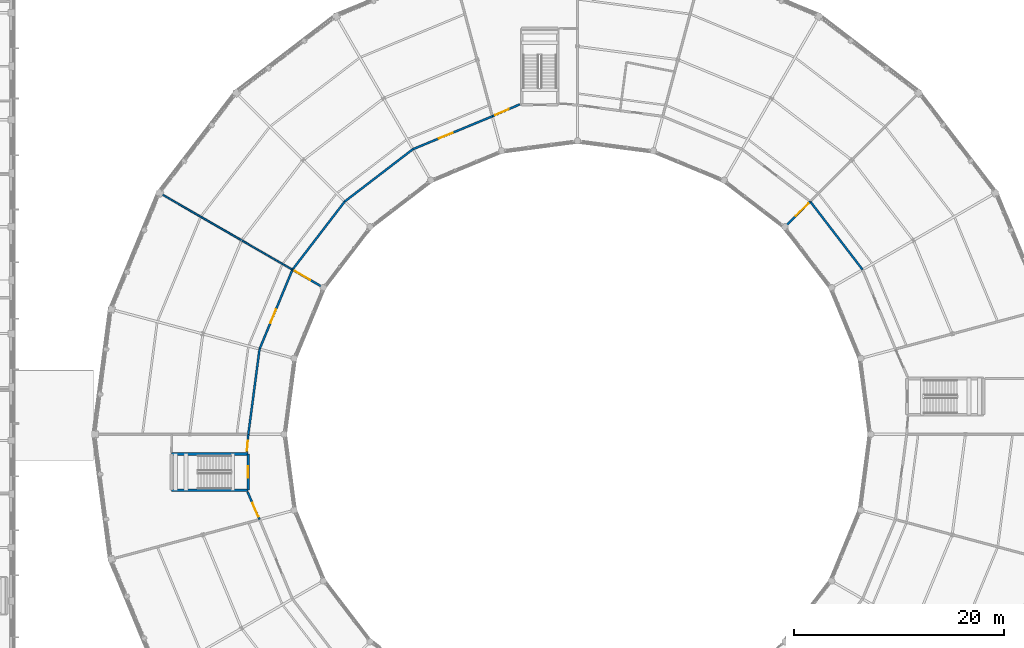
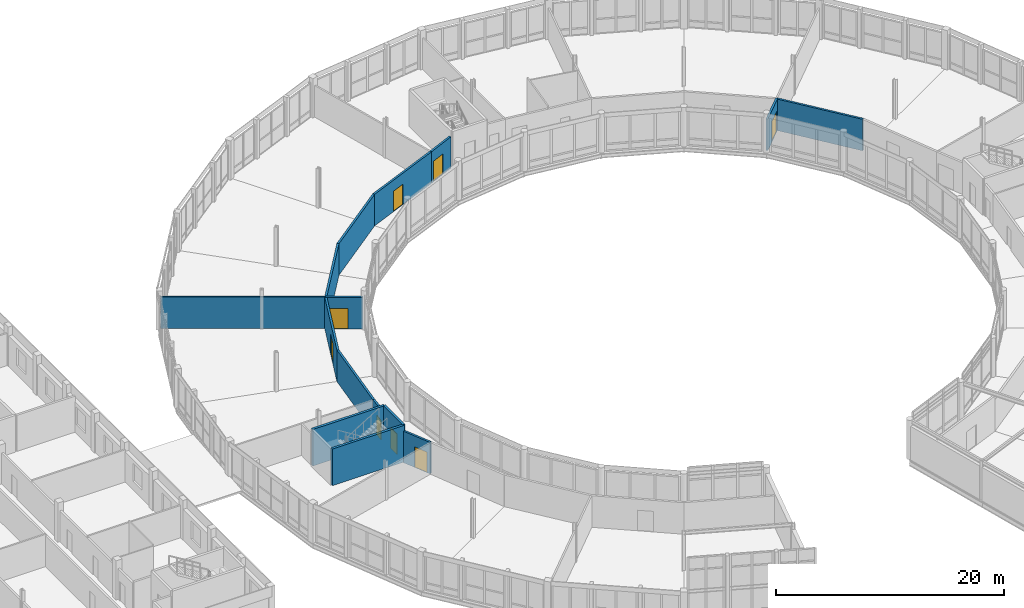
# One storey, part 144 of 170: 15 walls, 8 doors, 8 openings.
"""IFC4 building model written with IfcOpenShell, lengths in metres."""

import ifcopenshell
import ifcopenshell.guid

model = None  # the IFC model being written
_history = None  # IfcOwnerHistory: only IFC2X3 demands one
_inside = {}  # id of a spatial element -> (the spatial element, [elements in it])
_under = {}  # id of a project, library or spatial element -> (it, [spatial elements below it])
_declared = {}  # id of a project -> (the project, [libraries it declares])
_typed = {}  # id of a type object -> (the type object, [elements of that type])
_made_of = {}  # id of a material, layer set ... -> (it, [elements and type objects made of it])


def new_model(schema):
    """Start an empty IFC model of exactly this schema.

    Asked for "IFC4X3", IfcOpenShell would pick the latest addendum, in which some entities
    have other attributes; the version numbers below select the first issue.
    IFC2X3 requires an IfcOwnerHistory on every rooted entity: one is made here for all.
    """
    global model, _history
    if schema == "IFC4X3":
        model = ifcopenshell.file(schema_version=(4, 3, 0, 0))
    else:
        model = ifcopenshell.file(schema=schema)
    _inside.clear()
    _under.clear()
    _declared.clear()
    _typed.clear()
    _made_of.clear()
    _history = None
    if model.schema == "IFC2X3":
        org = make("IfcOrganization", Name="unknown")
        user = make(
            "IfcPersonAndOrganization",
            ThePerson=make("IfcPerson", FamilyName="unknown"),
            TheOrganization=org,
        )
        app = make(
            "IfcApplication",
            ApplicationDeveloper=org,
            Version="unknown",
            ApplicationFullName="unknown",
            ApplicationIdentifier="unknown",
        )
        _history = make(
            "IfcOwnerHistory",
            OwningUser=user,
            OwningApplication=app,
            ChangeAction="ADDED",
            CreationDate=0,
        )
    return model


def make(cls, **values):
    """One entity of the class cls with the attributes given. An attribute that is None is left unset."""
    return model.create_entity(
        cls, **{name: value for name, value in values.items() if value is not None}
    )


def rooted(cls, **values):
    """An entity with a GlobalId (a new one), such as an element, a storey or a relation."""
    return make(cls, GlobalId=ifcopenshell.guid.new(), OwnerHistory=_history, **values)


def si_unit(unit_type, name, prefix=None):
    """IfcSIUnit, for example si_unit("LENGTHUNIT", "METRE", prefix="MILLI")."""
    return make("IfcSIUnit", UnitType=unit_type, Prefix=prefix, Name=name)


def assignment(units):
    """IfcUnitAssignment: the units of a project."""
    return None if units is None else make("IfcUnitAssignment", Units=units)


def point(xyz):
    """IfcCartesianPoint."""
    return None if xyz is None else make("IfcCartesianPoint", Coordinates=xyz)


def direction(xyz):
    """IfcDirection."""
    return None if xyz is None else make("IfcDirection", DirectionRatios=xyz)


def frame(location, z_axis=None, x_axis=None):
    """IfcAxis2Placement3D, a coordinate frame: its origin and axes. An axis left out is left unset."""
    return make(
        "IfcAxis2Placement3D",
        Location=point(location),
        Axis=direction(z_axis),
        RefDirection=direction(x_axis),
    )


def frame_2d(location, x_axis=None):
    """IfcAxis2Placement2D, a coordinate frame in the plane: its origin and x axis."""
    return make(
        "IfcAxis2Placement2D", Location=point(location), RefDirection=direction(x_axis)
    )


def origin():
    """The frame at (0, 0, 0) with its axes left unset."""
    return frame((0.0, 0.0, 0.0))


def place(relative_to, where):
    """IfcLocalPlacement: puts the frame where relative to a parent placement (None: the world)."""
    return make(
        "IfcLocalPlacement", PlacementRelTo=relative_to, RelativePlacement=where
    )


def context(
    kind, dimensions, precision=None, world=None, true_north=None, identifier=None
):
    """IfcGeometricRepresentationContext, for example the 3D "Model" context."""
    return make(
        "IfcGeometricRepresentationContext",
        ContextIdentifier=identifier,
        ContextType=kind,
        CoordinateSpaceDimension=dimensions,
        Precision=precision,
        WorldCoordinateSystem=world,
        TrueNorth=true_north,
    )


def subcontext(parent, identifier, kind, view, scale=None):
    """IfcGeometricRepresentationSubContext, for example "Body" below "Model"."""
    return make(
        "IfcGeometricRepresentationSubContext",
        ContextIdentifier=identifier,
        ContextType=kind,
        ParentContext=parent,
        TargetScale=scale,
        TargetView=view,
    )


def project(units=None, contexts=None):
    """IfcProject with its units and contexts."""
    return rooted(
        "IfcProject",
        Name="project",
        RepresentationContexts=contexts,
        UnitsInContext=assignment(units),
    )


def spatial(cls, under=None, at=None, **own):
    """A site, building, storey or space (cls), placed at a placement, below another one or the project."""
    s = rooted(cls, ObjectPlacement=at, **own)
    if under is not None:
        _under.setdefault(under.id(), (under, []))[1].append(s)
    return s


def profile(cls, at=None, kind="AREA", **sizes):
    """A parametric profile (cls). Its sizes go by their IFC names, for example OverallWidth=200.0."""
    return make(cls, ProfileType=kind, Position=at, **sizes)


def rectangle(**sizes):
    """IfcRectangleProfileDef."""
    return profile("IfcRectangleProfileDef", **sizes)


def extrude(swept, where, along, depth):
    """IfcExtrudedAreaSolid: the profile swept, set in the frame where, extruded along a direction by depth."""
    return make(
        "IfcExtrudedAreaSolid",
        SweptArea=swept,
        Position=where,
        ExtrudedDirection=direction(along),
        Depth=depth,
    )


def shape(context_of_items, identifier, shape_type, items):
    """IfcShapeRepresentation: the items that make up one representation, for example the "Body"."""
    return make(
        "IfcShapeRepresentation",
        ContextOfItems=context_of_items,
        RepresentationIdentifier=identifier,
        RepresentationType=shape_type,
        Items=items,
    )


def material(Name=None, Category=None):
    """IfcMaterial."""
    return make("IfcMaterial", Name=Name, Category=Category)


def layer(
    of_material, thickness, ventilated=None, Name=None, Category=None, Priority=None
):
    """IfcMaterialLayer: one layer of a wall or slab, of a material (None: an air gap)."""
    return make(
        "IfcMaterialLayer",
        Material=of_material,
        LayerThickness=thickness,
        IsVentilated=ventilated,
        Name=Name,
        Category=Category,
        Priority=Priority,
    )


def layer_set(layers, Name=None):
    """IfcMaterialLayerSet."""
    return make("IfcMaterialLayerSet", MaterialLayers=layers, LayerSetName=Name)


def made_of(thing, what):
    """Note that an element or type object is made of a material, layer set ...; save() writes the relation."""
    if what is not None:
        _made_of.setdefault(what.id(), (what, []))[1].append(thing)
    return thing


def type_object(cls, material=None, **own):
    """A type object (cls), such as IfcWallType, which elements share."""
    return made_of(rooted(cls, **own), material)


def element(
    cls,
    number,
    at=None,
    inside=None,
    cuts=None,
    type_object=None,
    material=None,
    context=None,
    identifier="Body",
    shape_type=None,
    held_by="IfcProductDefinitionShape",
    body=None,
    shapes=None,
    **own,
):
    """One element of the class cls, such as IfcWall. Its Tag is "e" and its number.

    at: its placement. inside: the storey or other place that contains it. cuts: it is an
    opening in that element (IfcRelVoidsElement). A single representation is given by context,
    identifier, shape_type and body (its items); several are given by shapes. held_by: the class
    of the entity that holds the representations. save() writes the other relations.
    """
    e = rooted(cls, Tag="e%d" % number, ObjectPlacement=at, **own)
    if body is not None:
        shapes = [shape(context, identifier, shape_type, body)]
    if shapes is not None:
        e.Representation = make(held_by, Representations=shapes)
    if inside is not None:
        _inside.setdefault(inside.id(), (inside, []))[1].append(e)
    if cuts is not None:
        rooted(
            "IfcRelVoidsElement", RelatingBuildingElement=cuts, RelatedOpeningElement=e
        )
    if type_object is not None:
        _typed.setdefault(type_object.id(), (type_object, []))[1].append(e)
    return made_of(e, material)


def fill(opening, filler):
    """IfcRelFillsElement: the door or window that sits in an opening."""
    return rooted(
        "IfcRelFillsElement",
        RelatingOpeningElement=opening,
        RelatedBuildingElement=filler,
    )


def aggregate(whole, parts):
    """IfcRelAggregates: a whole, such as a stair, and the parts it consists of."""
    return rooted("IfcRelAggregates", RelatingObject=whole, RelatedObjects=parts)


def save(model, path):
    """Write the relations noted so far, then the file.

    IfcRelAggregates (storeys below a building ...), IfcRelContainedInSpatialStructure (elements
    in a storey), IfcRelDefinesByType, IfcRelAssociatesMaterial and IfcRelDeclares: one each for
    every whole, place, type object, material and project.
    """
    for whole, parts in _under.values():
        aggregate(whole, parts)
    for where, things in _inside.values():
        rooted(
            "IfcRelContainedInSpatialStructure",
            RelatedElements=things,
            RelatingStructure=where,
        )
    for kind, things in _typed.values():
        rooted("IfcRelDefinesByType", RelatedObjects=things, RelatingType=kind)
    for what, things in _made_of.values():
        rooted("IfcRelAssociatesMaterial", RelatedObjects=things, RelatingMaterial=what)
    for by, libraries in _declared.values():
        rooted("IfcRelDeclares", RelatingContext=by, RelatedDefinitions=libraries)
    model.write(path)


model = new_model("IFC4")

# Units and contexts
model_context = context("Model", 3, precision=1e-05, world=origin(), true_north=direction((0.0, 1.0)))
body_context = subcontext(model_context, "Body", "Model", "MODEL_VIEW")
ifc_project = project(units=[si_unit("LENGTHUNIT", "METRE"), si_unit("AREAUNIT", "SQUARE_METRE"), si_unit("VOLUMEUNIT", "CUBIC_METRE"), si_unit("PLANEANGLEUNIT", "RADIAN"), si_unit("MASSUNIT", "GRAM", prefix="KILO")], contexts=[model_context])

# Site, building, storey
site_placement = place(None, origin())
site = spatial("IfcSite", under=ifc_project, at=site_placement, CompositionType="ELEMENT")
building_placement = place(site_placement, origin())
building = spatial("IfcBuilding", under=site, at=building_placement, Name="Vondelvale Polytechnic", CompositionType="ELEMENT")
storey_placement = place(building_placement, frame((0.0, 0.0, 5.39990234375)))
storey = spatial("IfcBuildingStorey", under=building, at=storey_placement, Name="L01", CompositionType="ELEMENT", Elevation=5.39990234375)

# Walls
ifc_material_1 = material(Name="Concrete N40 (f'c = 40 MPa)", Category="concrete")
ifc_layer_1 = layer(ifc_material_1, 0.25)
ifc_layer_set_1 = layer_set([ifc_layer_1], Name="WL-CORE-250")
wall_type_1 = type_object("IfcWallType", Name="WL-CORE-250", PredefinedType="SOLIDWALL", material=ifc_layer_set_1)
for number, where, z_axis, x_axis, name in (
    (1, (70.574951171875, 70.125, 0.0), (0.0, 0.0, 1.0), (-1.0, 0.0, 0.0), "L01 ST-10 reinforced concrete stair core wall"),
    (2, (63.27490234375, 66.675048828125, 0.0), (0.0, 0.0, 1.0), (1.0, 0.0, 0.0), "L01 ST-10 reinforced concrete stair core wall"),
):
    element("IfcWall", number, at=place(storey_placement, frame(where, z_axis=z_axis, x_axis=x_axis)), inside=storey, type_object=wall_type_1, Name=name, PredefinedType="SOLIDWALL", context=body_context, shape_type="SweptSolid", body=[
        extrude(rectangle(XDim=7.300048828125, YDim=0.25, at=frame_2d((3.64990234375, 0.0))), origin(), (0.0, 0.0, 1.0), 3.920166015625),
    ])

# Wall, opening, door
wall_1_placement = place(storey_placement, frame((70.574951171875, 66.675048828125, 0.0), z_axis=(0.0, 0.0, 1.0), x_axis=(0.0, 1.0, 0.0)))
wall_1 = element("IfcWall", 3, at=wall_1_placement, inside=storey, type_object=wall_type_1, Name="L01 ST-10 reinforced concrete stair core wall", PredefinedType="SOLIDWALL", context=body_context, shape_type="SweptSolid", body=[
    extrude(rectangle(XDim=3.449951171875, YDim=0.25, at=frame_2d((1.72509765625, 0.0))), origin(), (0.0, 0.0, 1.0), 3.920166015625),
])
opening_1_placement = place(wall_1_placement, frame((1.175048828125, 0.0, 0.0)))
opening_1 = element("IfcOpeningElement", 4, at=opening_1_placement, cuts=wall_1, Name="Opening SD-053", PredefinedType="OPENING", context=body_context, shape_type="SweptSolid", body=[
    extrude(rectangle(XDim=1.10009765625, YDim=2.199951171875, at=frame_2d((0.550048828125, 1.10009765625))), frame((0.0, 0.135009765625, 0.0), z_axis=(0.0, -1.0, 0.0), x_axis=(1.0, 0.0, 0.0)), (0.0, 0.0, 1.0), 0.27001953125),
])
ifc_material_2 = material(Name="Brushed architectural stainless and zinc-coated metal")
door_type_1 = type_object("IfcDoorType", Name="DR-STAIR-1100x2200", OperationType="SINGLE_SWING_LEFT", PredefinedType="DOOR", material=ifc_material_2)
door_1_placement = place(opening_1_placement, origin())
door_1 = element("IfcDoor", 5, at=door_1_placement, inside=storey, type_object=door_type_1, Name="L01 ST-10 fire-isolated stair door", OperationType="SINGLE_SWING_LEFT", OverallHeight=2.199951171875, OverallWidth=1.10009765625, PredefinedType="DOOR", context=body_context, shape_type="SweptSolid", body=[
    extrude(rectangle(XDim=1.10009765625, YDim=2.199951171875, at=frame_2d((0.550048828125, 1.10009765625))), frame((0.0, 0.02490234375, 0.0), z_axis=(0.0, -1.0, 0.0), x_axis=(1.0, 0.0, 0.0)), (0.0, 0.0, 1.0), 0.050048828125),
])
fill(opening_1, door_1)

ifc_material_3 = material(Name="Fire-rated double-layer plasterboard stud partition")
ifc_layer_2 = layer(ifc_material_3, 0.199951171875)
ifc_layer_set_2 = layer_set([ifc_layer_2], Name="WL-CORR-200")
wall_type_2 = type_object("IfcWallType", Name="WL-CORR-200", PredefinedType="PARTITIONING", material=ifc_layer_set_2)
wall_2_placement = place(storey_placement, frame((121.8837890625, 91.8837890625, 0.0), z_axis=(0.0, 0.0, 1.0), x_axis=(0.707106781187, 0.707106781187, 0.0)))
wall_2 = element("IfcWall", 6, at=wall_2_placement, inside=storey, type_object=wall_type_2, Name="L01 interior acoustic partition", PredefinedType="PARTITIONING", context=body_context, shape_type="SweptSolid", body=[
    extrude(rectangle(XDim=3.280029296875, YDim=0.199951171875, at=frame_2d((1.64013671875, 0.0))), origin(), (0.0, 0.0, 1.0), 3.3720703125),
])
opening_2_placement = place(wall_2_placement, frame((1.320068359375, 0.0, 0.0)))
opening_2 = element("IfcOpeningElement", 7, at=opening_2_placement, cuts=wall_2, Name="Opening ID-0296", PredefinedType="OPENING", context=body_context, shape_type="SweptSolid", body=[
    extrude(rectangle(XDim=1.699951171875, YDim=2.199951171875, at=frame_2d((0.85009765625, 1.10009765625))), frame((0.0, 0.10986328125, 0.0), z_axis=(0.0, -1.0, 0.0), x_axis=(1.0, 0.0, 0.0)), (0.0, 0.0, 1.0), 0.219970703125),
])
ifc_material_4 = material(Name="Fire-rated solid Tasmanian oak joinery")
door_type_2 = type_object("IfcDoorType", Name="DR-COR-1700x2200", OperationType="DOUBLE_DOOR_SINGLE_SWING", PredefinedType="DOOR", material=ifc_material_4)
door_2_placement = place(opening_2_placement, origin())
door_2 = element("IfcDoor", 8, at=door_2_placement, inside=storey, type_object=door_type_2, Name="L01 interior room door ID-0296", OperationType="DOUBLE_DOOR_SINGLE_SWING", OverallHeight=2.199951171875, OverallWidth=1.699951171875, PredefinedType="DOOR", context=body_context, shape_type="SweptSolid", body=[
    extrude(rectangle(XDim=1.699951171875, YDim=2.199951171875, at=frame_2d((0.85009765625, 1.10009765625))), frame((0.0, 0.02490234375, 0.0), z_axis=(0.0, -1.0, 0.0), x_axis=(1.0, 0.0, 0.0)), (0.0, 0.0, 1.0), 0.050048828125),
])
fill(opening_2, door_2)

wall_3_placement = place(storey_placement, frame((77.6474609375, 86.06005859375, 0.0), z_axis=(0.0, 0.0, 1.0), x_axis=(-0.866040564224, 0.499973740429, 0.0)))
wall_3 = element("IfcWall", 9, at=wall_3_placement, inside=storey, type_object=wall_type_2, Name="L01 interior acoustic partition", PredefinedType="PARTITIONING", context=body_context, shape_type="SweptSolid", body=[
    extrude(rectangle(XDim=3.280029296875, YDim=0.199951171875, at=frame_2d((1.64013671875, 0.0))), origin(), (0.0, 0.0, 1.0), 3.3720703125),
])
opening_3_placement = place(wall_3_placement, frame((1.320068359375, 0.0, 0.0)))
opening_3 = element("IfcOpeningElement", 10, at=opening_3_placement, cuts=wall_3, Name="Opening ID-0297", PredefinedType="OPENING", context=body_context, shape_type="SweptSolid", body=[
    extrude(rectangle(XDim=1.699951171875, YDim=2.199951171875, at=frame_2d((0.85009765625, 1.10009765625))), frame((0.0, 0.10986328125, 0.0), z_axis=(0.0, -1.0, 0.0), x_axis=(1.0, 0.0, 0.0)), (0.0, 0.0, 1.0), 0.219970703125),
])
door_3_placement = place(opening_3_placement, origin())
door_3 = element("IfcDoor", 11, at=door_3_placement, inside=storey, type_object=door_type_2, Name="L01 interior room door ID-0297", OperationType="DOUBLE_DOOR_SINGLE_SWING", OverallHeight=2.199951171875, OverallWidth=1.699951171875, PredefinedType="DOOR", context=body_context, shape_type="SweptSolid", body=[
    extrude(rectangle(XDim=1.699951171875, YDim=2.199951171875, at=frame_2d((0.85009765625, 1.10009765625))), frame((0.0, 0.02490234375, 0.0), z_axis=(0.0, -1.0, 0.0), x_axis=(1.0, 0.0, 0.0)), (0.0, 0.0, 1.0), 0.050048828125),
])
fill(opening_3, door_3)

wall_4_placement = place(storey_placement, frame((96.510009765625, 103.478271484375, 0.0), z_axis=(0.0, 0.0, 1.0), x_axis=(-0.916855346374, -0.399219580964, 0.0)))
wall_4 = element("IfcWall", 12, at=wall_4_placement, inside=storey, type_object=wall_type_2, Name="L01 interior acoustic partition", PredefinedType="PARTITIONING", context=body_context, shape_type="SweptSolid", body=[
    extrude(rectangle(XDim=2.8759765625, YDim=0.199951171875, at=frame_2d((1.43798828125, 0.0))), origin(), (0.0, 0.0, 1.0), 3.3720703125),
])
opening_4_placement = place(wall_4_placement, frame((1.170166015625, 0.0, 0.0)))
opening_4 = element("IfcOpeningElement", 13, at=opening_4_placement, cuts=wall_4, Name="Opening ID-0301", PredefinedType="OPENING", context=body_context, shape_type="SweptSolid", body=[
    extrude(rectangle(XDim=1.39990234375, YDim=2.199951171875, at=frame_2d((0.699951171875, 1.10009765625))), frame((0.0, 0.10986328125, 0.0), z_axis=(0.0, -1.0, 0.0), x_axis=(1.0, 0.0, 0.0)), (0.0, 0.0, 1.0), 0.219970703125),
])
door_type_3 = type_object("IfcDoorType", Name="DR-LAB-1400x2200", OperationType="DOUBLE_DOOR_SINGLE_SWING", PredefinedType="DOOR", material=ifc_material_4)
door_4_placement = place(opening_4_placement, origin())
door_4 = element("IfcDoor", 14, at=door_4_placement, inside=storey, type_object=door_type_3, Name="L01 interior room door ID-0301", OperationType="DOUBLE_DOOR_SINGLE_SWING", OverallHeight=2.199951171875, OverallWidth=1.39990234375, PredefinedType="DOOR", context=body_context, shape_type="SweptSolid", body=[
    extrude(rectangle(XDim=1.39990234375, YDim=2.199951171875, at=frame_2d((0.699951171875, 1.10009765625))), frame((0.0, 0.02490234375, 0.0), z_axis=(0.0, -1.0, 0.0), x_axis=(1.0, 0.0, 0.0)), (0.0, 0.0, 1.0), 0.050048828125),
])
fill(opening_4, door_4)

wall_5_placement = place(storey_placement, frame((70.60009765625, 72.0, 0.0), z_axis=(0.0, 0.0, 1.0), x_axis=(-0.07984138391, -0.996807580938, 0.0)))
wall_5 = element("IfcWall", 15, at=wall_5_placement, inside=storey, type_object=wall_type_2, Name="L01 interior acoustic partition", PredefinedType="PARTITIONING", context=body_context, shape_type="SweptSolid", body=[
    extrude(rectangle(XDim=1.71533203125, YDim=0.199951171875, at=frame_2d((0.857666015625, 0.0))), origin(), (0.0, 0.0, 1.0), 3.3720703125),
])
opening_5_placement = place(wall_5_placement, frame((0.60546875, 0.0, 0.0)))
opening_5 = element("IfcOpeningElement", 16, at=opening_5_placement, cuts=wall_5, Name="Opening ID-0302", PredefinedType="OPENING", context=body_context, shape_type="SweptSolid", body=[
    extrude(rectangle(XDim=0.949951171875, YDim=2.10009765625, at=frame_2d((0.47509765625, 1.050048828125))), frame((0.0, 0.10986328125, 0.0), z_axis=(0.0, -1.0, 0.0), x_axis=(1.0, 0.0, 0.0)), (0.0, 0.0, 1.0), 0.219970703125),
])
door_type_4 = type_object("IfcDoorType", Name="DR-INT-0950x2100", OperationType="SINGLE_SWING_LEFT", PredefinedType="DOOR", material=ifc_material_4)
door_5_placement = place(opening_5_placement, origin())
door_5 = element("IfcDoor", 17, at=door_5_placement, inside=storey, type_object=door_type_4, Name="L01 interior room door ID-0302", OperationType="SINGLE_SWING_RIGHT", OverallHeight=2.10009765625, OverallWidth=0.949951171875, PredefinedType="DOOR", context=body_context, shape_type="SweptSolid", body=[
    extrude(rectangle(XDim=0.949951171875, YDim=2.10009765625, at=frame_2d((0.47509765625, 1.050048828125))), frame((0.0, 0.02490234375, 0.0), z_axis=(0.0, -1.0, 0.0), x_axis=(1.0, 0.0, 0.0)), (0.0, 0.0, 1.0), 0.050048828125),
])
fill(opening_5, door_5)

wall_6_placement = place(storey_placement, frame((70.521728515625, 66.510009765625, 0.0), z_axis=(0.0, 0.0, 1.0), x_axis=(0.399219580964, -0.916855346374, 0.0)))
wall_6 = element("IfcWall", 18, at=wall_6_placement, inside=storey, type_object=wall_type_2, Name="L01 interior acoustic partition", PredefinedType="PARTITIONING", context=body_context, shape_type="SweptSolid", body=[
    extrude(rectangle(XDim=2.8759765625, YDim=0.199951171875, at=frame_2d((1.43798828125, 0.0))), origin(), (0.0, 0.0, 1.0), 3.3720703125),
])
opening_6_placement = place(wall_6_placement, frame((1.170166015625, 0.0, 0.0)))
opening_6 = element("IfcOpeningElement", 19, at=opening_6_placement, cuts=wall_6, Name="Opening ID-0303", PredefinedType="OPENING", context=body_context, shape_type="SweptSolid", body=[
    extrude(rectangle(XDim=1.39990234375, YDim=2.199951171875, at=frame_2d((0.699951171875, 1.10009765625))), frame((0.0, 0.10986328125, 0.0), z_axis=(0.0, -1.0, 0.0), x_axis=(1.0, 0.0, 0.0)), (0.0, 0.0, 1.0), 0.219970703125),
])
door_6_placement = place(opening_6_placement, origin())
door_6 = element("IfcDoor", 20, at=door_6_placement, inside=storey, type_object=door_type_3, Name="L01 interior room door ID-0303", OperationType="DOUBLE_DOOR_SINGLE_SWING", OverallHeight=2.199951171875, OverallWidth=1.39990234375, PredefinedType="DOOR", context=body_context, shape_type="SweptSolid", body=[
    extrude(rectangle(XDim=1.39990234375, YDim=2.199951171875, at=frame_2d((0.699951171875, 1.10009765625))), frame((0.0, 0.02490234375, 0.0), z_axis=(0.0, -1.0, 0.0), x_axis=(1.0, 0.0, 0.0)), (0.0, 0.0, 1.0), 0.050048828125),
])
fill(opening_6, door_6)

# Wall
wall_7_placement = place(storey_placement, frame((129.193115234375, 87.699951171875, 0.0), z_axis=(0.0, 0.0, 1.0), x_axis=(-0.608756011694, 0.793357497113, 0.0)))
element("IfcWall", 21, at=wall_7_placement, inside=storey, type_object=wall_type_2, Name="L01 interior acoustic partition", PredefinedType="PARTITIONING", context=body_context, shape_type="SweptSolid", body=[
    extrude(rectangle(XDim=8.197021484375, YDim=0.199951171875, at=frame_2d((4.0986328125, 0.0))), origin(), (0.0, 0.0, 1.0), 3.3720703125),
])

# Wall, opening, door
wall_8_placement = place(storey_placement, frame((93.873046875, 102.330078125, 0.0), z_axis=(0.0, 0.0, 1.0), x_axis=(-0.923874167149, -0.382696385238, 0.0)))
wall_8 = element("IfcWall", 22, at=wall_8_placement, inside=storey, type_object=wall_type_2, Name="L01 interior acoustic partition", PredefinedType="PARTITIONING", context=body_context, shape_type="SweptSolid", body=[
    extrude(rectangle(XDim=8.197021484375, YDim=0.199951171875, at=frame_2d((4.0986328125, 0.0))), origin(), (0.0, 0.0, 1.0), 3.3720703125),
])
opening_7_placement = place(wall_8_placement, frame((4.10009765625, 0.0, 0.0)))
opening_7 = element("IfcOpeningElement", 23, at=opening_7_placement, cuts=wall_8, Name="Opening ID-0316", PredefinedType="OPENING", context=body_context, shape_type="SweptSolid", body=[
    extrude(rectangle(XDim=1.39990234375, YDim=2.199951171875, at=frame_2d((0.699951171875, 1.10009765625))), frame((0.0, 0.10986328125, 0.0), z_axis=(0.0, -1.0, 0.0), x_axis=(1.0, 0.0, 0.0)), (0.0, 0.0, 1.0), 0.219970703125),
])
door_7_placement = place(opening_7_placement, origin())
door_7 = element("IfcDoor", 24, at=door_7_placement, inside=storey, type_object=door_type_3, Name="L01 interior room door ID-0316", OperationType="DOUBLE_DOOR_SINGLE_SWING", OverallHeight=2.199951171875, OverallWidth=1.39990234375, PredefinedType="DOOR", context=body_context, shape_type="SweptSolid", body=[
    extrude(rectangle(XDim=1.39990234375, YDim=2.199951171875, at=frame_2d((0.699951171875, 1.10009765625))), frame((0.0, 0.02490234375, 0.0), z_axis=(0.0, -1.0, 0.0), x_axis=(1.0, 0.0, 0.0)), (0.0, 0.0, 1.0), 0.050048828125),
])
fill(opening_7, door_7)

# Walls
for number, where, z_axis, x_axis, name in (
    (25, (86.300048828125, 99.193115234375, 0.0), (0.0, 0.0, 1.0), (-0.793357497113, -0.608756011694, 0.0), "L01 interior acoustic partition"),
    (26, (79.796875, 94.203125, 0.0), (0.0, 0.0, 1.0), (-0.608756011694, -0.793357497113, 0.0), "L01 interior acoustic partition"),
):
    element("IfcWall", number, at=place(storey_placement, frame(where, z_axis=z_axis, x_axis=x_axis)), inside=storey, type_object=wall_type_2, Name=name, PredefinedType="PARTITIONING", context=body_context, shape_type="SweptSolid", body=[
        extrude(rectangle(XDim=8.197021484375, YDim=0.199951171875, at=frame_2d((4.0986328125, 0.0))), origin(), (0.0, 0.0, 1.0), 3.3720703125),
    ])

# Wall, opening, door
wall_9_placement = place(storey_placement, frame((74.806884765625, 87.699951171875, 0.0), z_axis=(0.0, 0.0, 1.0), x_axis=(-0.382696385238, -0.923874167149, 0.0)))
wall_9 = element("IfcWall", 27, at=wall_9_placement, inside=storey, type_object=wall_type_2, Name="L01 interior acoustic partition", PredefinedType="PARTITIONING", context=body_context, shape_type="SweptSolid", body=[
    extrude(rectangle(XDim=8.197021484375, YDim=0.199951171875, at=frame_2d((4.0986328125, 0.0))), origin(), (0.0, 0.0, 1.0), 3.3720703125),
])
opening_8_placement = place(wall_9_placement, frame((4.10009765625, 0.0, 0.0)))
opening_8 = element("IfcOpeningElement", 28, at=opening_8_placement, cuts=wall_9, Name="Opening ID-0317", PredefinedType="OPENING", context=body_context, shape_type="SweptSolid", body=[
    extrude(rectangle(XDim=1.39990234375, YDim=2.199951171875, at=frame_2d((0.699951171875, 1.10009765625))), frame((0.0, 0.10986328125, 0.0), z_axis=(0.0, -1.0, 0.0), x_axis=(1.0, 0.0, 0.0)), (0.0, 0.0, 1.0), 0.219970703125),
])
door_8_placement = place(opening_8_placement, origin())
door_8 = element("IfcDoor", 29, at=door_8_placement, inside=storey, type_object=door_type_3, Name="L01 interior room door ID-0317", OperationType="DOUBLE_DOOR_SINGLE_SWING", OverallHeight=2.199951171875, OverallWidth=1.39990234375, PredefinedType="DOOR", context=body_context, shape_type="SweptSolid", body=[
    extrude(rectangle(XDim=1.39990234375, YDim=2.199951171875, at=frame_2d((0.699951171875, 1.10009765625))), frame((0.0, 0.02490234375, 0.0), z_axis=(0.0, -1.0, 0.0), x_axis=(1.0, 0.0, 0.0)), (0.0, 0.0, 1.0), 0.050048828125),
])
fill(opening_8, door_8)

# Walls
wall_10_placement = place(storey_placement, frame((71.669921875, 80.126953125, 0.0), z_axis=(0.0, 0.0, 1.0), x_axis=(-0.130513066404, -0.991446589332, 0.0)))
element("IfcWall", 30, at=wall_10_placement, inside=storey, type_object=wall_type_2, Name="L01 interior acoustic partition", PredefinedType="PARTITIONING", context=body_context, shape_type="SweptSolid", body=[
    extrude(rectangle(XDim=8.197021484375, YDim=0.199951171875, at=frame_2d((4.0986328125, 0.0))), origin(), (0.0, 0.0, 1.0), 3.3720703125),
])
ifc_layer_3 = layer(ifc_material_3, 0.14990234375)
ifc_layer_set_3 = layer_set([ifc_layer_3], Name="WL-INT-150")
wall_type_3 = type_object("IfcWallType", Name="WL-INT-150", PredefinedType="PARTITIONING", material=ifc_layer_set_3)
wall_11_placement = place(storey_placement, frame((74.806884765625, 87.699951171875, 0.0), z_axis=(0.0, 0.0, 1.0), x_axis=(-0.866025544155, 0.499999756871, 0.0)))
element("IfcWall", 31, at=wall_11_placement, inside=storey, type_object=wall_type_3, Name="L01 interior acoustic partition", PredefinedType="PARTITIONING", context=body_context, shape_type="SweptSolid", body=[
    extrude(rectangle(XDim=14.47998046875, YDim=0.14990234375, at=frame_2d((7.239990234375, 0.0))), origin(), (0.0, 0.0, 1.0), 3.3671875),
])

save(model, "model.ifc")
